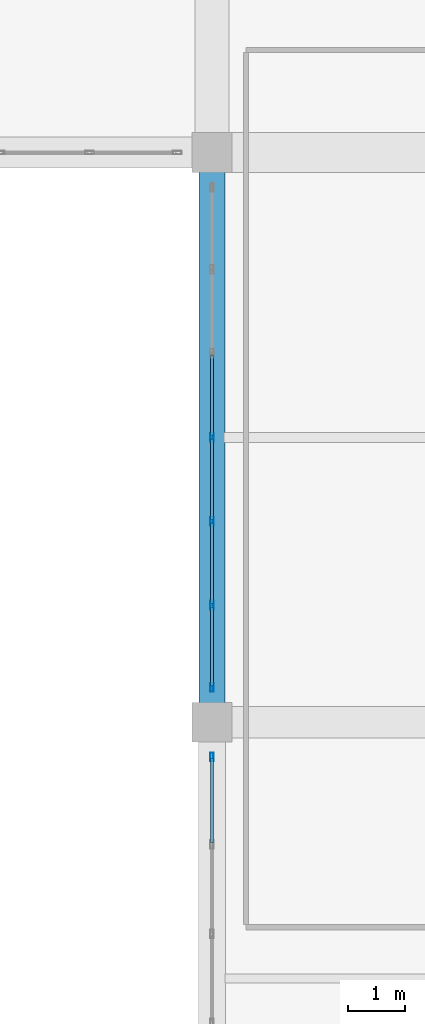
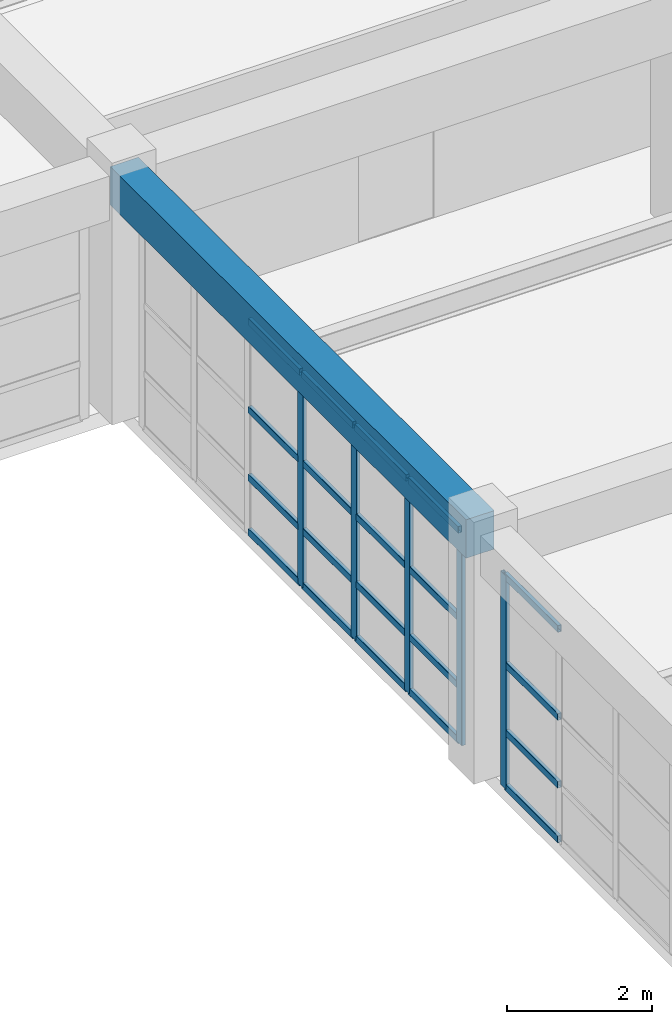
# One storey, part 35 of 133: 25 members, 1 beam, 2 elements without a shape of their own.
"""IFC4 building model written with IfcOpenShell, lengths in metres."""

from ifc_helpers import new_model, si_unit, direction, frame, origin, origin_2d, place, context, subcontext, project, spatial, rectangle, hollow_rectangle, extrude, material, material_profile, profile_set, type_object, element, aggregate, save


model = new_model("IFC4")

# Units and contexts
model_context = context("Model", 3, precision=1e-05, world=origin(), true_north=direction((0.0, 1.0)))
body_context = subcontext(model_context, "Body", "Model", "MODEL_VIEW")
ifc_project = project(units=[si_unit("LENGTHUNIT", "METRE"), si_unit("AREAUNIT", "SQUARE_METRE"), si_unit("VOLUMEUNIT", "CUBIC_METRE"), si_unit("PLANEANGLEUNIT", "RADIAN"), si_unit("MASSUNIT", "GRAM", prefix="KILO")], contexts=[model_context])

# Site, building, storey
site_placement = place(None, origin())
site = spatial("IfcSite", under=ifc_project, at=site_placement, CompositionType="ELEMENT")
building_placement = place(site_placement, origin())
building = spatial("IfcBuilding", under=site, at=building_placement, Name="Miravela Opera House", CompositionType="ELEMENT")
storey_placement = place(building_placement, frame((0.0, 0.0, 5.10009765625)))
storey = spatial("IfcBuildingStorey", under=building, at=storey_placement, Name="L01", CompositionType="ELEMENT", Elevation=5.10009765625)

# Curtain wall, member
ifc_material_1 = material(Name="Anodised architectural bronze aluminium 6063-T6", Category="aluminium")
curtain_wall_type = type_object("IfcCurtainWallType", Name="ARC-CW-06", PredefinedType="NOTDEFINED", material=ifc_material_1)
curtain_wall_1_placement = place(storey_placement, origin())
curtain_wall_1 = element("IfcCurtainWall", 1, at=curtain_wall_1_placement, inside=storey, type_object=curtain_wall_type, Name="Courtyard Arcade Curtain Wall CW-L01-134", PredefinedType="NOTDEFINED")
ifc_material_profile_1 = material_profile(ifc_material_1, hollow_rectangle(XDim=0.06005859375, YDim=0.14990234375, WallThickness=0.00390625, InnerFilletRadius=0.001953125, OuterFilletRadius=0.00390625, at=origin_2d()), Name="CWM-60X150")
ifc_profile_set_1 = profile_set([ifc_material_profile_1])
member_type_1 = type_object("IfcMemberType", Name="ARC-CWM-150", PredefinedType="MULLION", material=ifc_profile_set_1)
member_1_placement = place(storey_placement, frame((63.0, 17.389892578125, 0.0), z_axis=(0.0, 0.0, 1.0), x_axis=(-1.0, 0.0, 0.0)))
member_1 = element("IfcMember", 2, at=member_1_placement, type_object=member_type_1, Name="CW-06 mullion 6", PredefinedType="MULLION", context=body_context, shape_type="SweptSolid", body=[
    extrude(hollow_rectangle(XDim=0.06005859375, YDim=0.14990234375, WallThickness=0.00390625, InnerFilletRadius=0.001953125, OuterFilletRadius=0.00390625, at=origin_2d()), origin(), (0.0, 0.0, 1.0), 3.60986328125),
])

# Curtain wall, members
curtain_wall_2_placement = place(storey_placement, origin())
curtain_wall_2 = element("IfcCurtainWall", 3, at=curtain_wall_2_placement, inside=storey, type_object=curtain_wall_type, Name="Courtyard Arcade Curtain Wall CW-L01-135", PredefinedType="NOTDEFINED")
member_2_placement = place(storey_placement, frame((63.0, 18.610107421875, 0.0), z_axis=(0.0, 0.0, 1.0), x_axis=(-1.0, 0.0, 0.0)))
member_2 = element("IfcMember", 4, at=member_2_placement, type_object=member_type_1, Name="CW-06 mullion 1", PredefinedType="MULLION", context=body_context, shape_type="SweptSolid", body=[
    extrude(hollow_rectangle(XDim=0.06005859375, YDim=0.14990234375, WallThickness=0.00390625, InnerFilletRadius=0.001953125, OuterFilletRadius=0.00390625, at=origin_2d()), origin(), (0.0, 0.0, 1.0), 3.60986328125),
])
member_3_placement = place(storey_placement, frame((63.0, 20.05322265625, 0.0), z_axis=(0.0, 0.0, 1.0), x_axis=(-1.0, 0.0, 0.0)))
member_3 = element("IfcMember", 5, at=member_3_placement, type_object=member_type_1, Name="CW-06 mullion 2", PredefinedType="MULLION", context=body_context, shape_type="SweptSolid", body=[
    extrude(hollow_rectangle(XDim=0.06005859375, YDim=0.14990234375, WallThickness=0.00390625, InnerFilletRadius=0.001953125, OuterFilletRadius=0.00390625, at=origin_2d()), origin(), (0.0, 0.0, 1.0), 3.60986328125),
])
member_4_placement = place(storey_placement, frame((63.0, 21.526611328125, 0.0), z_axis=(0.0, 0.0, 1.0), x_axis=(-1.0, 0.0, 0.0)))
member_4 = element("IfcMember", 6, at=member_4_placement, type_object=member_type_1, Name="CW-06 mullion 3", PredefinedType="MULLION", context=body_context, shape_type="SweptSolid", body=[
    extrude(hollow_rectangle(XDim=0.06005859375, YDim=0.14990234375, WallThickness=0.00390625, InnerFilletRadius=0.001953125, OuterFilletRadius=0.00390625, at=origin_2d()), origin(), (0.0, 0.0, 1.0), 3.60986328125),
])
member_5_placement = place(storey_placement, frame((63.0, 23.0, 0.0), z_axis=(0.0, 0.0, 1.0), x_axis=(-1.0, 0.0, 0.0)))
member_5 = element("IfcMember", 7, at=member_5_placement, type_object=member_type_1, Name="CW-06 mullion 4", PredefinedType="MULLION", context=body_context, shape_type="SweptSolid", body=[
    extrude(hollow_rectangle(XDim=0.06005859375, YDim=0.14990234375, WallThickness=0.00390625, InnerFilletRadius=0.001953125, OuterFilletRadius=0.00390625, at=origin_2d()), origin(), (0.0, 0.0, 1.0), 3.60986328125),
])

# Member
ifc_material_profile_2 = material_profile(ifc_material_1, hollow_rectangle(XDim=0.06005859375, YDim=0.114990234375, WallThickness=0.00390625, InnerFilletRadius=0.001953125, OuterFilletRadius=0.00390625, at=origin_2d()), Name="CWT-60X115")
ifc_profile_set_2 = profile_set([ifc_material_profile_2])
member_type_2 = type_object("IfcMemberType", Name="ARC-CWT-115", PredefinedType="USERDEFINED", material=ifc_profile_set_2)
member_6_placement = place(storey_placement, frame((63.0, 15.882080078125, 0.02978515625), z_axis=(0.0, 1.0, 0.0), x_axis=(-1.0, 0.0, 0.0)))
member_6 = element("IfcMember", 8, at=member_6_placement, type_object=member_type_2, Name="CW-06 transom 5.1", ObjectType="TRANSOM", PredefinedType="USERDEFINED", context=body_context, shape_type="SweptSolid", body=[
    extrude(hollow_rectangle(XDim=0.06005859375, YDim=0.114990234375, WallThickness=0.00390625, InnerFilletRadius=0.001953125, OuterFilletRadius=0.00390625, at=origin_2d()), origin(), (0.0, 0.0, 1.0), 1.47802734375),
])

member_7_placement = place(storey_placement, frame((63.0, 15.882080078125, 0.949951171875), z_axis=(0.0, 1.0, 0.0), x_axis=(-1.0, 0.0, 0.0)))
member_7 = element("IfcMember", 9, at=member_7_placement, type_object=member_type_2, Name="CW-06 transom 5.2", ObjectType="TRANSOM", PredefinedType="USERDEFINED", context=body_context, shape_type="SweptSolid", body=[
    extrude(hollow_rectangle(XDim=0.06005859375, YDim=0.114990234375, WallThickness=0.00390625, InnerFilletRadius=0.001953125, OuterFilletRadius=0.00390625, at=origin_2d()), origin(), (0.0, 0.0, 1.0), 1.47802734375),
])

member_8_placement = place(storey_placement, frame((63.0, 15.882080078125, 2.09375), z_axis=(0.0, 1.0, 0.0), x_axis=(-1.0, 0.0, 0.0)))
member_8 = element("IfcMember", 10, at=member_8_placement, type_object=member_type_2, Name="CW-06 transom 5.3", ObjectType="TRANSOM", PredefinedType="USERDEFINED", context=body_context, shape_type="SweptSolid", body=[
    extrude(hollow_rectangle(XDim=0.06005859375, YDim=0.114990234375, WallThickness=0.00390625, InnerFilletRadius=0.001953125, OuterFilletRadius=0.00390625, at=origin_2d()), origin(), (0.0, 0.0, 1.0), 1.47802734375),
])

member_9_placement = place(storey_placement, frame((63.0, 15.882080078125, 3.579833984375), z_axis=(0.0, 1.0, 0.0), x_axis=(-1.0, 0.0, 0.0)))
member_9 = element("IfcMember", 11, at=member_9_placement, type_object=member_type_2, Name="CW-06 transom 5.4", ObjectType="TRANSOM", PredefinedType="USERDEFINED", context=body_context, shape_type="SweptSolid", body=[
    extrude(hollow_rectangle(XDim=0.06005859375, YDim=0.114990234375, WallThickness=0.00390625, InnerFilletRadius=0.001953125, OuterFilletRadius=0.00390625, at=origin_2d()), origin(), (0.0, 0.0, 1.0), 1.47802734375),
])

aggregate(curtain_wall_1, [member_1, member_6, member_7, member_8, member_9])

member_10_placement = place(storey_placement, frame((63.0, 18.639892578125, 0.02978515625), z_axis=(0.0, 1.0, 0.0), x_axis=(-1.0, 0.0, 0.0)))
member_10 = element("IfcMember", 12, at=member_10_placement, type_object=member_type_2, Name="CW-06 transom 1.1", ObjectType="TRANSOM", PredefinedType="USERDEFINED", context=body_context, shape_type="SweptSolid", body=[
    extrude(hollow_rectangle(XDim=0.06005859375, YDim=0.114990234375, WallThickness=0.00390625, InnerFilletRadius=0.001953125, OuterFilletRadius=0.00390625, at=origin_2d()), origin(), (0.0, 0.0, 1.0), 1.383544921875),
])

member_11_placement = place(storey_placement, frame((63.0, 18.639892578125, 0.949951171875), z_axis=(0.0, 1.0, 0.0), x_axis=(-1.0, 0.0, 0.0)))
member_11 = element("IfcMember", 13, at=member_11_placement, type_object=member_type_2, Name="CW-06 transom 1.2", ObjectType="TRANSOM", PredefinedType="USERDEFINED", context=body_context, shape_type="SweptSolid", body=[
    extrude(hollow_rectangle(XDim=0.06005859375, YDim=0.114990234375, WallThickness=0.00390625, InnerFilletRadius=0.001953125, OuterFilletRadius=0.00390625, at=origin_2d()), origin(), (0.0, 0.0, 1.0), 1.383544921875),
])

member_12_placement = place(storey_placement, frame((63.0, 18.639892578125, 2.09375), z_axis=(0.0, 1.0, 0.0), x_axis=(-1.0, 0.0, 0.0)))
member_12 = element("IfcMember", 14, at=member_12_placement, type_object=member_type_2, Name="CW-06 transom 1.3", ObjectType="TRANSOM", PredefinedType="USERDEFINED", context=body_context, shape_type="SweptSolid", body=[
    extrude(hollow_rectangle(XDim=0.06005859375, YDim=0.114990234375, WallThickness=0.00390625, InnerFilletRadius=0.001953125, OuterFilletRadius=0.00390625, at=origin_2d()), origin(), (0.0, 0.0, 1.0), 1.383544921875),
])

member_13_placement = place(storey_placement, frame((63.0, 18.639892578125, 3.579833984375), z_axis=(0.0, 1.0, 0.0), x_axis=(-1.0, 0.0, 0.0)))
member_13 = element("IfcMember", 15, at=member_13_placement, type_object=member_type_2, Name="CW-06 transom 1.4", ObjectType="TRANSOM", PredefinedType="USERDEFINED", context=body_context, shape_type="SweptSolid", body=[
    extrude(hollow_rectangle(XDim=0.06005859375, YDim=0.114990234375, WallThickness=0.00390625, InnerFilletRadius=0.001953125, OuterFilletRadius=0.00390625, at=origin_2d()), origin(), (0.0, 0.0, 1.0), 1.383544921875),
])

member_14_placement = place(storey_placement, frame((63.0, 20.083251953125, 0.02978515625), z_axis=(0.0, 1.0, 0.0), x_axis=(-1.0, 0.0, 0.0)))
member_14 = element("IfcMember", 16, at=member_14_placement, type_object=member_type_2, Name="CW-06 transom 2.1", ObjectType="TRANSOM", PredefinedType="USERDEFINED", context=body_context, shape_type="SweptSolid", body=[
    extrude(hollow_rectangle(XDim=0.06005859375, YDim=0.114990234375, WallThickness=0.00390625, InnerFilletRadius=0.001953125, OuterFilletRadius=0.00390625, at=origin_2d()), origin(), (0.0, 0.0, 1.0), 1.413330078125),
])

member_15_placement = place(storey_placement, frame((63.0, 20.083251953125, 0.949951171875), z_axis=(0.0, 1.0, 0.0), x_axis=(-1.0, 0.0, 0.0)))
member_15 = element("IfcMember", 17, at=member_15_placement, type_object=member_type_2, Name="CW-06 transom 2.2", ObjectType="TRANSOM", PredefinedType="USERDEFINED", context=body_context, shape_type="SweptSolid", body=[
    extrude(hollow_rectangle(XDim=0.06005859375, YDim=0.114990234375, WallThickness=0.00390625, InnerFilletRadius=0.001953125, OuterFilletRadius=0.00390625, at=origin_2d()), origin(), (0.0, 0.0, 1.0), 1.413330078125),
])

member_16_placement = place(storey_placement, frame((63.0, 20.083251953125, 2.09375), z_axis=(0.0, 1.0, 0.0), x_axis=(-1.0, 0.0, 0.0)))
member_16 = element("IfcMember", 18, at=member_16_placement, type_object=member_type_2, Name="CW-06 transom 2.3", ObjectType="TRANSOM", PredefinedType="USERDEFINED", context=body_context, shape_type="SweptSolid", body=[
    extrude(hollow_rectangle(XDim=0.06005859375, YDim=0.114990234375, WallThickness=0.00390625, InnerFilletRadius=0.001953125, OuterFilletRadius=0.00390625, at=origin_2d()), origin(), (0.0, 0.0, 1.0), 1.413330078125),
])

member_17_placement = place(storey_placement, frame((63.0, 20.083251953125, 3.579833984375), z_axis=(0.0, 1.0, 0.0), x_axis=(-1.0, 0.0, 0.0)))
member_17 = element("IfcMember", 19, at=member_17_placement, type_object=member_type_2, Name="CW-06 transom 2.4", ObjectType="TRANSOM", PredefinedType="USERDEFINED", context=body_context, shape_type="SweptSolid", body=[
    extrude(hollow_rectangle(XDim=0.06005859375, YDim=0.114990234375, WallThickness=0.00390625, InnerFilletRadius=0.001953125, OuterFilletRadius=0.00390625, at=origin_2d()), origin(), (0.0, 0.0, 1.0), 1.413330078125),
])

member_18_placement = place(storey_placement, frame((63.0, 21.556640625, 0.02978515625), z_axis=(0.0, 1.0, 0.0), x_axis=(-1.0, 0.0, 0.0)))
member_18 = element("IfcMember", 20, at=member_18_placement, type_object=member_type_2, Name="CW-06 transom 3.1", ObjectType="TRANSOM", PredefinedType="USERDEFINED", context=body_context, shape_type="SweptSolid", body=[
    extrude(hollow_rectangle(XDim=0.06005859375, YDim=0.114990234375, WallThickness=0.00390625, InnerFilletRadius=0.001953125, OuterFilletRadius=0.00390625, at=origin_2d()), origin(), (0.0, 0.0, 1.0), 1.413330078125),
])

member_19_placement = place(storey_placement, frame((63.0, 21.556640625, 0.949951171875), z_axis=(0.0, 1.0, 0.0), x_axis=(-1.0, 0.0, 0.0)))
member_19 = element("IfcMember", 21, at=member_19_placement, type_object=member_type_2, Name="CW-06 transom 3.2", ObjectType="TRANSOM", PredefinedType="USERDEFINED", context=body_context, shape_type="SweptSolid", body=[
    extrude(hollow_rectangle(XDim=0.06005859375, YDim=0.114990234375, WallThickness=0.00390625, InnerFilletRadius=0.001953125, OuterFilletRadius=0.00390625, at=origin_2d()), origin(), (0.0, 0.0, 1.0), 1.413330078125),
])

member_20_placement = place(storey_placement, frame((63.0, 21.556640625, 2.09375), z_axis=(0.0, 1.0, 0.0), x_axis=(-1.0, 0.0, 0.0)))
member_20 = element("IfcMember", 22, at=member_20_placement, type_object=member_type_2, Name="CW-06 transom 3.3", ObjectType="TRANSOM", PredefinedType="USERDEFINED", context=body_context, shape_type="SweptSolid", body=[
    extrude(hollow_rectangle(XDim=0.06005859375, YDim=0.114990234375, WallThickness=0.00390625, InnerFilletRadius=0.001953125, OuterFilletRadius=0.00390625, at=origin_2d()), origin(), (0.0, 0.0, 1.0), 1.413330078125),
])

member_21_placement = place(storey_placement, frame((63.0, 21.556640625, 3.579833984375), z_axis=(0.0, 1.0, 0.0), x_axis=(-1.0, 0.0, 0.0)))
member_21 = element("IfcMember", 23, at=member_21_placement, type_object=member_type_2, Name="CW-06 transom 3.4", ObjectType="TRANSOM", PredefinedType="USERDEFINED", context=body_context, shape_type="SweptSolid", body=[
    extrude(hollow_rectangle(XDim=0.06005859375, YDim=0.114990234375, WallThickness=0.00390625, InnerFilletRadius=0.001953125, OuterFilletRadius=0.00390625, at=origin_2d()), origin(), (0.0, 0.0, 1.0), 1.413330078125),
])

member_22_placement = place(storey_placement, frame((63.0, 23.030029296875, 0.02978515625), z_axis=(0.0, 1.0, 0.0), x_axis=(-1.0, 0.0, 0.0)))
member_22 = element("IfcMember", 24, at=member_22_placement, type_object=member_type_2, Name="CW-06 transom 4.1", ObjectType="TRANSOM", PredefinedType="USERDEFINED", context=body_context, shape_type="SweptSolid", body=[
    extrude(hollow_rectangle(XDim=0.06005859375, YDim=0.114990234375, WallThickness=0.00390625, InnerFilletRadius=0.001953125, OuterFilletRadius=0.00390625, at=origin_2d()), origin(), (0.0, 0.0, 1.0), 1.413330078125),
])

member_23_placement = place(storey_placement, frame((63.0, 23.030029296875, 0.949951171875), z_axis=(0.0, 1.0, 0.0), x_axis=(-1.0, 0.0, 0.0)))
member_23 = element("IfcMember", 25, at=member_23_placement, type_object=member_type_2, Name="CW-06 transom 4.2", ObjectType="TRANSOM", PredefinedType="USERDEFINED", context=body_context, shape_type="SweptSolid", body=[
    extrude(hollow_rectangle(XDim=0.06005859375, YDim=0.114990234375, WallThickness=0.00390625, InnerFilletRadius=0.001953125, OuterFilletRadius=0.00390625, at=origin_2d()), origin(), (0.0, 0.0, 1.0), 1.413330078125),
])

member_24_placement = place(storey_placement, frame((63.0, 23.030029296875, 2.09375), z_axis=(0.0, 1.0, 0.0), x_axis=(-1.0, 0.0, 0.0)))
member_24 = element("IfcMember", 26, at=member_24_placement, type_object=member_type_2, Name="CW-06 transom 4.3", ObjectType="TRANSOM", PredefinedType="USERDEFINED", context=body_context, shape_type="SweptSolid", body=[
    extrude(hollow_rectangle(XDim=0.06005859375, YDim=0.114990234375, WallThickness=0.00390625, InnerFilletRadius=0.001953125, OuterFilletRadius=0.00390625, at=origin_2d()), origin(), (0.0, 0.0, 1.0), 1.413330078125),
])

member_25_placement = place(storey_placement, frame((63.0, 23.030029296875, 3.579833984375), z_axis=(0.0, 1.0, 0.0), x_axis=(-1.0, 0.0, 0.0)))
member_25 = element("IfcMember", 27, at=member_25_placement, type_object=member_type_2, Name="CW-06 transom 4.4", ObjectType="TRANSOM", PredefinedType="USERDEFINED", context=body_context, shape_type="SweptSolid", body=[
    extrude(hollow_rectangle(XDim=0.06005859375, YDim=0.114990234375, WallThickness=0.00390625, InnerFilletRadius=0.001953125, OuterFilletRadius=0.00390625, at=origin_2d()), origin(), (0.0, 0.0, 1.0), 1.413330078125),
])

aggregate(curtain_wall_2, [member_2, member_3, member_4, member_5, member_10, member_11, member_12, member_13, member_14, member_15, member_16, member_17, member_18, member_19, member_20, member_21, member_22, member_23, member_24, member_25])

# Beam
ifc_material_2 = material(Name="Concrete C35/45", Category="concrete")
ifc_material_profile_3 = material_profile(ifc_material_2, rectangle(XDim=0.449951171875, YDim=0.64990234375, at=origin_2d()), Name="RC-BM-450X650")
ifc_profile_set_3 = profile_set([ifc_material_profile_3])
beam_type = type_object("IfcBeamType", Name="STR-BM-RC450X650", PredefinedType="BEAM", material=ifc_profile_set_3)
beam_placement = place(storey_placement, frame((63.0, 18.080078125, 3.8349609375), z_axis=(0.0, 1.0, 0.0), x_axis=(-1.0, 0.0, 0.0)))
element("IfcBeam", 28, at=beam_placement, inside=storey, type_object=beam_type, Name="Floor Girder L01 8/C-D", PredefinedType="BEAM", context=body_context, shape_type="SweptSolid", body=[
    extrude(rectangle(XDim=0.449951171875, YDim=0.64990234375, at=origin_2d()), origin(), (0.0, 0.0, 1.0), 9.83984375),
])

save(model, "model.ifc")
